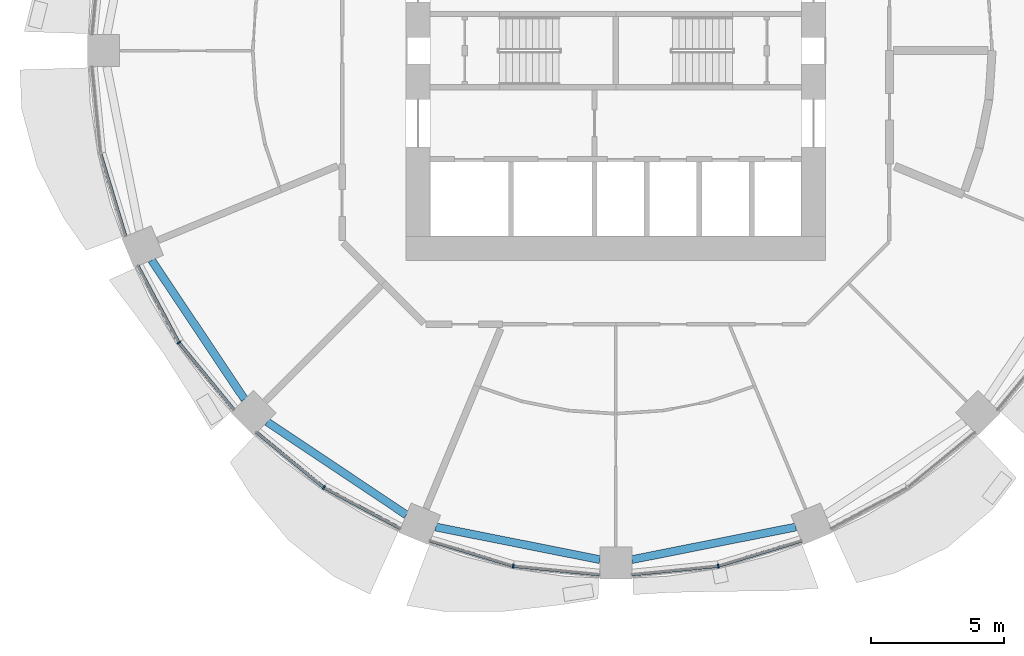
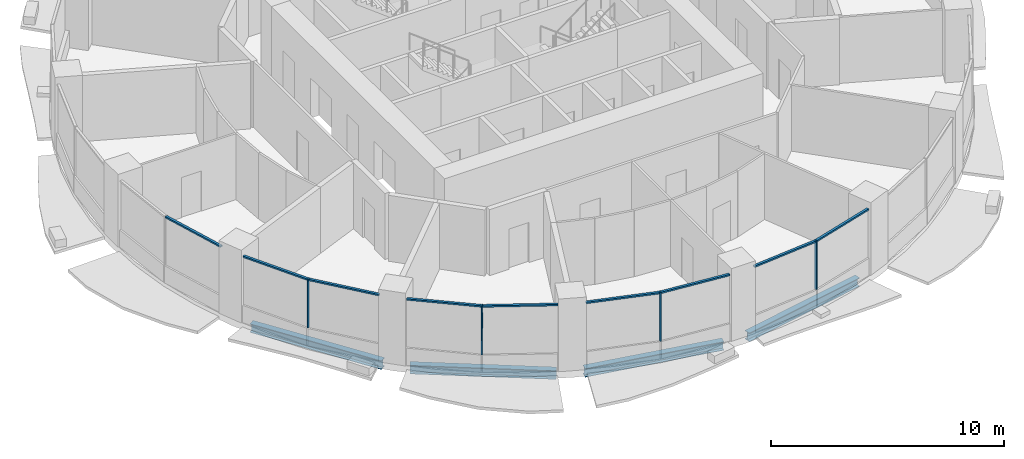
# One storey, part 2 of 15: 13 members, 4 beams, 5 elements without a shape of their own.
"""IFC4 building model written with IfcOpenShell, lengths in metres."""

from ifc_helpers import new_model, si_unit, direction, frame, origin, origin_2d, place, context, subcontext, project, spatial, rectangle, i_section, extrude, material, material_profile, profile_set, type_object, element, aggregate, save


model = new_model("IFC4")

# Units and contexts
model_context = context("Model", 3, precision=1e-05, world=origin(), true_north=direction((0.0, 1.0)))
body_context = subcontext(model_context, "Body", "Model", "MODEL_VIEW")
ifc_project = project(units=[si_unit("LENGTHUNIT", "METRE"), si_unit("AREAUNIT", "SQUARE_METRE"), si_unit("VOLUMEUNIT", "CUBIC_METRE"), si_unit("PLANEANGLEUNIT", "RADIAN"), si_unit("MASSUNIT", "GRAM", prefix="KILO")], contexts=[model_context])

# Site, building, storey
site_placement = place(None, origin())
site = spatial("IfcSite", under=ifc_project, at=site_placement, CompositionType="ELEMENT")
building_placement = place(site_placement, origin())
building = spatial("IfcBuilding", under=site, at=building_placement, Name="Polderwave Tower", CompositionType="ELEMENT")
storey_placement = place(building_placement, frame((0.0, 0.0, 22.39990234375)))
storey = spatial("IfcBuildingStorey", under=building, at=storey_placement, Name="L05", CompositionType="ELEMENT", Elevation=22.39990234375)

# Curtain wall, member
ifc_material_1 = material(Name="Aluminium 6063-T6 and glass", Category="aluminium")
curtain_wall_type = type_object("IfcCurtainWallType", Name="Growing floor ribbon glazing wall", PredefinedType="NOTDEFINED", material=ifc_material_1)
curtain_wall_1_placement = place(storey_placement, origin())
curtain_wall_1 = element("IfcCurtainWall", 1, at=curtain_wall_1_placement, inside=storey, type_object=curtain_wall_type, Name="CW2 L05 09", PredefinedType="NOTDEFINED")
ifc_material_2 = material(Name="Aluminium 6063-T6", Category="aluminium")
ifc_material_profile_1 = material_profile(ifc_material_2, rectangle(XDim=0.14990234375, YDim=0.06005859375, at=origin_2d()), Name="AL 60x150")
ifc_profile_set_1 = profile_set([ifc_material_profile_1], Name="Aluminium 6063-T6")
member_type_1 = type_object("IfcMemberType", Name="Growing floor ribbon glazing mullion 60x150", PredefinedType="MULLION", material=ifc_profile_set_1)
member_1_placement = place(storey_placement, frame((-16.405029296875, -10.9609375, 0.900146484375), z_axis=(0.0, 0.0, 1.0), x_axis=(0.831485126426, 0.555547013791, 0.0)))
member_1 = element("IfcMember", 2, at=member_1_placement, type_object=member_type_1, Name="CW2 mullion 1", PredefinedType="MULLION", context=body_context, shape_type="SweptSolid", body=[
    extrude(rectangle(XDim=0.14990234375, YDim=0.06005859375, at=origin_2d()), origin(), (0.0, 0.0, 1.0), 2.550048828125),
])

curtain_wall_2_placement = place(storey_placement, origin())
curtain_wall_2 = element("IfcCurtainWall", 3, at=curtain_wall_2_placement, inside=storey, type_object=curtain_wall_type, Name="CW2 L05 10", PredefinedType="NOTDEFINED")
member_2_placement = place(storey_placement, frame((-10.9609375, -16.405029296875, 0.900146484375), z_axis=(0.0, 0.0, 1.0), x_axis=(0.555547013791, 0.831485126426, 0.0)))
member_2 = element("IfcMember", 4, at=member_2_placement, type_object=member_type_1, Name="CW2 mullion 1", PredefinedType="MULLION", context=body_context, shape_type="SweptSolid", body=[
    extrude(rectangle(XDim=0.14990234375, YDim=0.06005859375, at=origin_2d()), origin(), (0.0, 0.0, 1.0), 2.550048828125),
])

curtain_wall_3_placement = place(storey_placement, origin())
curtain_wall_3 = element("IfcCurtainWall", 5, at=curtain_wall_3_placement, inside=storey, type_object=curtain_wall_type, Name="CW2 L05 11", PredefinedType="NOTDEFINED")
member_3_placement = place(storey_placement, frame((-3.84912109375, -19.35107421875, 0.900146484375), z_axis=(0.0, 0.0, 1.0), x_axis=(0.19513996377, 0.980775404738, 0.0)))
member_3 = element("IfcMember", 6, at=member_3_placement, type_object=member_type_1, Name="CW2 mullion 1", PredefinedType="MULLION", context=body_context, shape_type="SweptSolid", body=[
    extrude(rectangle(XDim=0.14990234375, YDim=0.06005859375, at=origin_2d()), origin(), (0.0, 0.0, 1.0), 2.550048828125),
])

curtain_wall_4_placement = place(storey_placement, origin())
curtain_wall_4 = element("IfcCurtainWall", 7, at=curtain_wall_4_placement, inside=storey, type_object=curtain_wall_type, Name="CW2 L05 12", PredefinedType="NOTDEFINED")
member_4_placement = place(storey_placement, frame((3.84912109375, -19.35107421875, 0.900146484375), z_axis=(0.0, 0.0, 1.0), x_axis=(-0.19513996377, 0.980775404738, 0.0)))
member_4 = element("IfcMember", 8, at=member_4_placement, type_object=member_type_1, Name="CW2 mullion 1", PredefinedType="MULLION", context=body_context, shape_type="SweptSolid", body=[
    extrude(rectangle(XDim=0.14990234375, YDim=0.06005859375, at=origin_2d()), origin(), (0.0, 0.0, 1.0), 2.550048828125),
])

curtain_wall_5_placement = place(storey_placement, origin())
curtain_wall_5 = element("IfcCurtainWall", 9, at=curtain_wall_5_placement, inside=storey, type_object=curtain_wall_type, Name="CW2 L05 08", PredefinedType="NOTDEFINED")
ifc_material_profile_2 = material_profile(ifc_material_2, rectangle(XDim=0.1201171875, YDim=0.080078125, at=origin_2d()), Name="AL 80x120")
ifc_profile_set_2 = profile_set([ifc_material_profile_2], Name="Aluminium 6063-T6")
member_type_2 = type_object("IfcMemberType", Name="Growing floor ribbon glazing transom 80x120", PredefinedType="USERDEFINED", material=ifc_profile_set_2)
member_5_placement = place(storey_placement, frame((-19.34228515625, -3.877685546875, 3.41015625), z_axis=(0.29036559607, -0.956915785542, 0.0), x_axis=(0.956915785542, 0.29036559607, 0.0)))
member_5 = element("IfcMember", 10, at=member_5_placement, type_object=member_type_2, Name="CW2 transom 2", ObjectType="TRANSOM", PredefinedType="USERDEFINED", context=body_context, shape_type="SweptSolid", body=[
    extrude(rectangle(XDim=0.1201171875, YDim=0.080078125, at=origin_2d()), origin(), (0.0, 0.0, 1.0), 3.234619140625),
])
aggregate(curtain_wall_5, [member_5])

# Member
member_6_placement = place(storey_placement, frame((-17.944091796875, -8.08203125, 3.41015625), z_axis=(0.471442050997, -0.881897041923, 0.0), x_axis=(0.881897041923, 0.471442050997, 0.0)))
member_6 = element("IfcMember", 11, at=member_6_placement, type_object=member_type_2, Name="CW2 transom 1", ObjectType="TRANSOM", PredefinedType="USERDEFINED", context=body_context, shape_type="SweptSolid", body=[
    extrude(rectangle(XDim=0.1201171875, YDim=0.080078125, at=origin_2d()), origin(), (0.0, 0.0, 1.0), 3.234619140625),
])

member_7_placement = place(storey_placement, frame((-16.385986328125, -10.984130859375, 3.41015625), z_axis=(0.63430157743, -0.773085706031, 0.0), x_axis=(0.773085706031, 0.63430157743, 0.0)))
member_7 = element("IfcMember", 12, at=member_7_placement, type_object=member_type_2, Name="CW2 transom 2", ObjectType="TRANSOM", PredefinedType="USERDEFINED", context=body_context, shape_type="SweptSolid", body=[
    extrude(rectangle(XDim=0.1201171875, YDim=0.080078125, at=origin_2d()), origin(), (0.0, 0.0, 1.0), 3.235107421875),
])

aggregate(curtain_wall_1, [member_1, member_6, member_7])

member_8_placement = place(storey_placement, frame((-13.485107421875, -14.333984375, 3.41015625), z_axis=(0.773085706031, -0.63430157743, 0.0), x_axis=(0.63430157743, 0.773085706031, 0.0)))
member_8 = element("IfcMember", 13, at=member_8_placement, type_object=member_type_2, Name="CW2 transom 1", ObjectType="TRANSOM", PredefinedType="USERDEFINED", context=body_context, shape_type="SweptSolid", body=[
    extrude(rectangle(XDim=0.1201171875, YDim=0.080078125, at=origin_2d()), origin(), (0.0, 0.0, 1.0), 3.235107421875),
])

member_9_placement = place(storey_placement, frame((-10.9345703125, -16.419189453125, 3.41015625), z_axis=(0.881897041923, -0.471442050997, 0.0), x_axis=(0.471442050997, 0.881897041923, 0.0)))
member_9 = element("IfcMember", 14, at=member_9_placement, type_object=member_type_2, Name="CW2 transom 2", ObjectType="TRANSOM", PredefinedType="USERDEFINED", context=body_context, shape_type="SweptSolid", body=[
    extrude(rectangle(XDim=0.1201171875, YDim=0.080078125, at=origin_2d()), origin(), (0.0, 0.0, 1.0), 3.234619140625),
])

aggregate(curtain_wall_2, [member_2, member_8, member_9])

member_10_placement = place(storey_placement, frame((-6.972900390625, -18.403076171875, 3.41015625), z_axis=(0.956915785542, -0.29036559607, 0.0), x_axis=(0.29036559607, 0.956915785542, 0.0)))
member_10 = element("IfcMember", 15, at=member_10_placement, type_object=member_type_2, Name="CW2 transom 1", ObjectType="TRANSOM", PredefinedType="USERDEFINED", context=body_context, shape_type="SweptSolid", body=[
    extrude(rectangle(XDim=0.1201171875, YDim=0.080078125, at=origin_2d()), origin(), (0.0, 0.0, 1.0), 3.234619140625),
])

member_11_placement = place(storey_placement, frame((-3.819091796875, -19.35400390625, 3.41015625), z_axis=(0.995189210583, -0.097971603742, 0.0), x_axis=(0.097971603742, 0.995189210583, 0.0)))
member_11 = element("IfcMember", 16, at=member_11_placement, type_object=member_type_2, Name="CW2 transom 2", ObjectType="TRANSOM", PredefinedType="USERDEFINED", context=body_context, shape_type="SweptSolid", body=[
    extrude(rectangle(XDim=0.1201171875, YDim=0.080078125, at=origin_2d()), origin(), (0.0, 0.0, 1.0), 3.234619140625),
])

aggregate(curtain_wall_3, [member_3, member_10, member_11])

member_12_placement = place(storey_placement, frame((0.60009765625, -19.6708984375, 3.41015625), z_axis=(0.995189210583, 0.097971603742, 0.0), x_axis=(-0.097971603742, 0.995189210583, 0.0)))
member_12 = element("IfcMember", 17, at=member_12_placement, type_object=member_type_2, Name="CW2 transom 1", ObjectType="TRANSOM", PredefinedType="USERDEFINED", context=body_context, shape_type="SweptSolid", body=[
    extrude(rectangle(XDim=0.1201171875, YDim=0.080078125, at=origin_2d()), origin(), (0.0, 0.0, 1.0), 3.234619140625),
])

member_13_placement = place(storey_placement, frame((3.877685546875, -19.34228515625, 3.41015625), z_axis=(0.956915785542, 0.29036559607, 0.0), x_axis=(-0.29036559607, 0.956915785542, 0.0)))
member_13 = element("IfcMember", 18, at=member_13_placement, type_object=member_type_2, Name="CW2 transom 2", ObjectType="TRANSOM", PredefinedType="USERDEFINED", context=body_context, shape_type="SweptSolid", body=[
    extrude(rectangle(XDim=0.1201171875, YDim=0.080078125, at=origin_2d()), origin(), (0.0, 0.0, 1.0), 3.234619140625),
])

aggregate(curtain_wall_4, [member_4, member_12, member_13])

# Beams
ifc_material_3 = material(Name="Steel S355", Category="steel")
ifc_material_profile_3 = material_profile(ifc_material_3, i_section(OverallWidth=0.300048828125, OverallDepth=0.449951171875, WebThickness=0.013916015625, FlangeThickness=0.02587890625, at=origin_2d()), Name="HE 450 B")
ifc_profile_set_3 = profile_set([ifc_material_profile_3], Name="Steel S355")
beam_type = type_object("IfcBeamType", Name="RING BEAM HE 450 B", PredefinedType="BEAM", material=ifc_profile_set_3)
for number, where, z_axis, x_axis, name in (
    (19, (-17.42626953125, -7.86767578125, -0.574951171875), (0.55556118785, -0.831475656021, 0.0), (0.831475656021, 0.55556118785, 0.0), "ST-RB-L05-09"),
    (20, (-13.089111328125, -13.9375, -0.574951171875), (0.831475656021, -0.55556118785, 0.0), (0.55556118785, 0.831475656021, 0.0), "ST-RB-L05-10"),
):
    element("IfcBeam", number, at=place(storey_placement, frame(where, z_axis=z_axis, x_axis=x_axis)), inside=storey, type_object=beam_type, Name=name, PredefinedType="BEAM", context=body_context, shape_type="SweptSolid", body=[
        extrude(i_section(OverallWidth=0.300048828125, OverallDepth=0.449951171875, WebThickness=0.013916015625, FlangeThickness=0.02587890625, at=origin_2d()), origin(), (0.0, 0.0, 1.0), 6.27978515625),
    ])
for number, where, z_axis, x_axis, name in (
    (21, (-6.759033203125, -17.885498046875, -0.574951171875), (0.980784999889, -0.195091732249, 0.0), (0.195091732249, 0.980784999889, 0.0), "ST-RB-L05-11"),
    (22, (0.60009765625, -19.110595703125, -0.574951171875), (0.980784999889, 0.195091732249, 0.0), (-0.195091732249, 0.980784999889, 0.0), "ST-RB-L05-12"),
):
    element("IfcBeam", number, at=place(storey_placement, frame(where, z_axis=z_axis, x_axis=x_axis)), inside=storey, type_object=beam_type, Name=name, PredefinedType="BEAM", context=body_context, shape_type="SweptSolid", body=[
        extrude(i_section(OverallWidth=0.300048828125, OverallDepth=0.449951171875, WebThickness=0.013916015625, FlangeThickness=0.02587890625, at=origin_2d()), origin(), (0.0, 0.0, 1.0), 6.279541015625),
    ])

save(model, "model.ifc")
